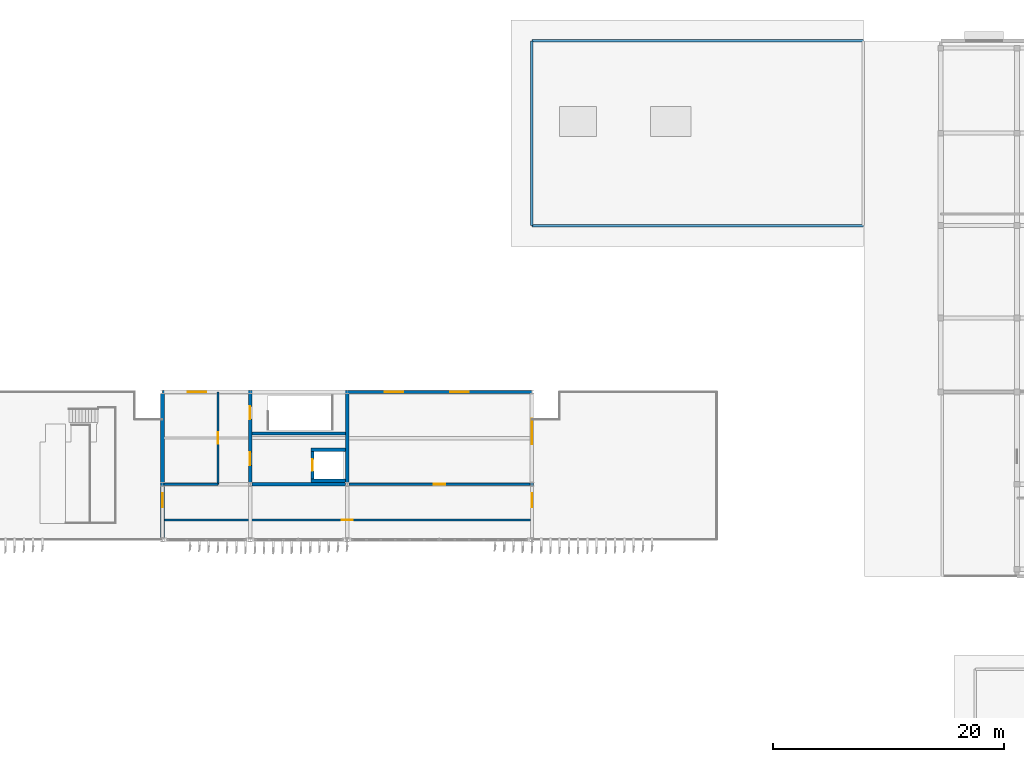
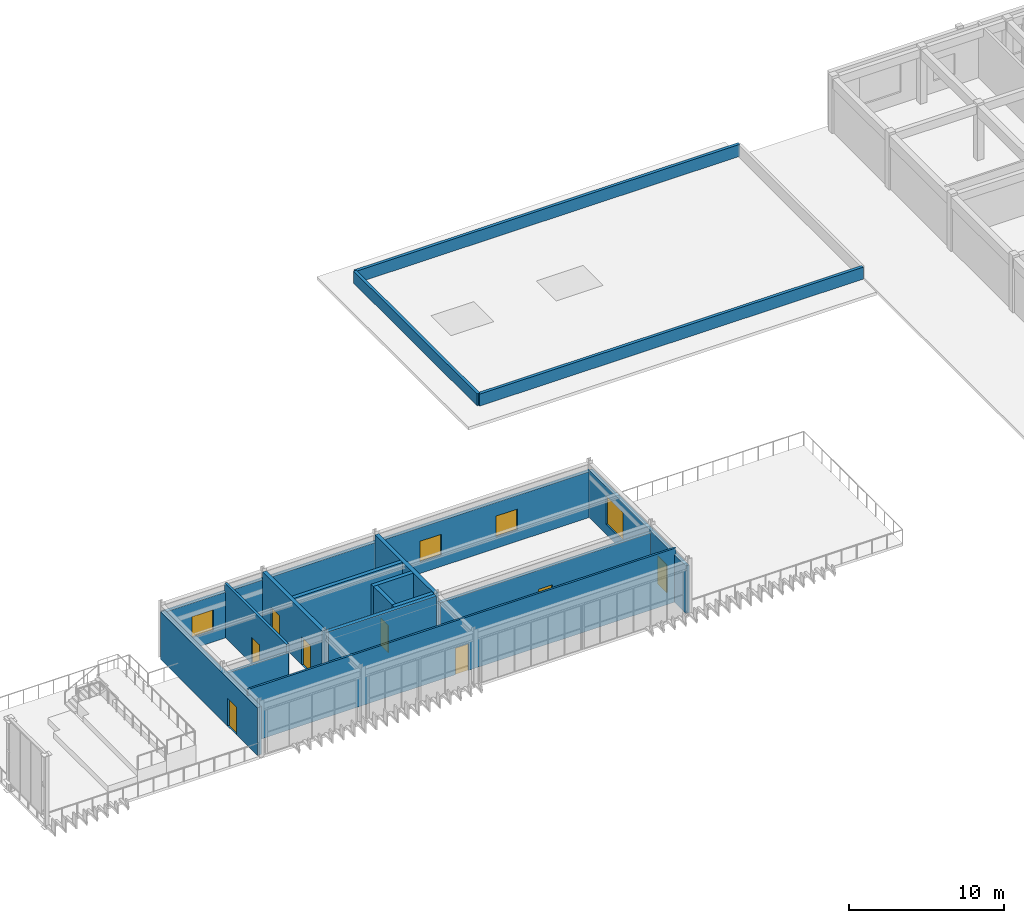
# One storey, part 29 of 45: 17 walls, 8 doors, 4 windows, 12 openings.
"""IFC4 building model written with IfcOpenShell, lengths in metres."""

from ifc_helpers import new_model, si_unit, direction, frame, frame_2d, origin, place, context, subcontext, project, spatial, rectangle, extrude, material, layer, layer_set, type_object, element, fill, save


model = new_model("IFC4")

# Units and contexts
model_context = context("Model", 3, precision=1e-05, world=origin(), true_north=direction((0.0, 1.0)))
body_context = subcontext(model_context, "Body", "Model", "MODEL_VIEW")
ifc_project = project(units=[si_unit("LENGTHUNIT", "METRE"), si_unit("AREAUNIT", "SQUARE_METRE"), si_unit("VOLUMEUNIT", "CUBIC_METRE"), si_unit("PLANEANGLEUNIT", "RADIAN"), si_unit("MASSUNIT", "GRAM", prefix="KILO")], contexts=[model_context])

# Site, building, storey
site_placement = place(None, origin())
site = spatial("IfcSite", under=ifc_project, at=site_placement, CompositionType="ELEMENT")
building_placement = place(site_placement, origin())
building = spatial("IfcBuilding", under=site, at=building_placement, Name="Cinchona Park Media Centre", CompositionType="ELEMENT")
storey_placement = place(building_placement, frame((0.0, 0.0, 20.39990234375)))
storey = spatial("IfcBuildingStorey", under=building, at=storey_placement, Name="L04", CompositionType="ELEMENT", Elevation=20.39990234375)

# Wall
ifc_material_1 = material(Name="Acoustic Double-Stud Gypsum Partition", Category="gypsum")
ifc_layer_1 = layer(ifc_material_1, 0.2099609375)
ifc_layer_set_1 = layer_set([ifc_layer_1], Name="Acoustic Double-Stud Gypsum Partition")
wall_type_1 = type_object("IfcWallType", Name="WALL-W-AC210", PredefinedType="PARTITIONING", material=ifc_layer_set_1)
wall_1_placement = place(storey_placement, frame((78.95703125, 79.60009765625, 0.0), z_axis=(0.0, 0.0, 1.0), x_axis=(1.0, 0.0, 0.0)))
element("IfcWall", 1, at=wall_1_placement, inside=storey, type_object=wall_type_1, Name="Interior Wall W-AC210 L04", PredefinedType="PARTITIONING", context=body_context, shape_type="SweptSolid", body=[
    extrude(rectangle(XDim=4.64306640625, YDim=0.2099609375, at=frame_2d((2.321533203125, 0.0))), origin(), (0.0, 0.0, 1.0), 3.6201171875),
])

# Wall, opening, door
ifc_material_2 = material(Name="Acoustic Double-Stud Gypsum Partition", Category="gypsum")
ifc_layer_2 = layer(ifc_material_2, 0.239990234375)
ifc_layer_set_2 = layer_set([ifc_layer_2], Name="Acoustic Double-Stud Gypsum Partition")
wall_type_2 = type_object("IfcWallType", Name="WALL-W-AC240", PredefinedType="PARTITIONING", material=ifc_layer_set_2)
wall_2_placement = place(storey_placement, frame((94.95703125, 79.60009765625, 0.0), z_axis=(0.0, 0.0, 1.0), x_axis=(1.0, 0.0, 0.0)))
wall_2 = element("IfcWall", 2, at=wall_2_placement, inside=storey, type_object=wall_type_2, Name="Interior Wall W-AC240 L04", PredefinedType="PARTITIONING", context=body_context, shape_type="SweptSolid", body=[
    extrude(rectangle(XDim=15.68603515625, YDim=0.239990234375, at=frame_2d((7.843017578125, 0.0))), origin(), (0.0, 0.0, 1.0), 3.6201171875),
])
opening_1_placement = place(wall_2_placement, frame((7.3330078125, 0.0, 0.0)))
opening_1 = element("IfcOpeningElement", 3, at=opening_1_placement, cuts=wall_2, Name="Opening D342", PredefinedType="OPENING", context=body_context, shape_type="SweptSolid", body=[
    extrude(rectangle(XDim=1.02001953125, YDim=2.10009765625, at=frame_2d((0.510009765625, 1.050048828125))), frame((0.0, 0.1298828125, 0.0), z_axis=(0.0, -1.0, 0.0), x_axis=(1.0, 0.0, 0.0)), (0.0, 0.0, 1.0), 0.260009765625),
])
ifc_material_3 = material(Name="Solid-Core Timber Acoustic Door", Category="wood")
door_type_1 = type_object("IfcDoorType", Name="DOOR-DT05", OperationType="NOTDEFINED", PredefinedType="DOOR", material=ifc_material_3)
door_1_placement = place(opening_1_placement, origin())
door_1 = element("IfcDoor", 4, at=door_1_placement, inside=storey, type_object=door_type_1, Name="Interior Door D342", OperationType="SINGLE_SWING_RIGHT", OverallHeight=2.10009765625, OverallWidth=1.02001953125, PredefinedType="DOOR", context=body_context, shape_type="SweptSolid", body=[
    extrude(rectangle(XDim=1.02001953125, YDim=2.10009765625, at=frame_2d((0.510009765625, 1.050048828125))), frame((0.0, 0.02490234375, 0.0), z_axis=(0.0, -1.0, 0.0), x_axis=(1.0, 0.0, 0.0)), (0.0, 0.0, 1.0), 0.050048828125),
])
fill(opening_1, door_1)

ifc_material_4 = material(Name="Precast concrete C40/50", Category="concrete")
ifc_layer_3 = layer(ifc_material_4, 0.320068359375)
ifc_layer_set_3 = layer_set([ifc_layer_3], Name="Precast concrete C40/50")
wall_type_3 = type_object("IfcWallType", Name="WALL-W-EX02", PredefinedType="SOLIDWALL", material=ifc_layer_set_3)
wall_3_placement = place(storey_placement, frame((78.800048828125, 74.93994140625, 0.0), z_axis=(0.0, 0.0, 1.0), x_axis=(0.0, 1.0, 0.0)))
wall_3 = element("IfcWall", 5, at=wall_3_placement, inside=storey, type_object=wall_type_3, Name="Exterior Wall W-EX02 V5 L04", PredefinedType="SOLIDWALL", context=body_context, shape_type="SweptSolid", body=[
    extrude(rectangle(XDim=12.52001953125, YDim=0.320068359375, at=frame_2d((6.260009765625, 0.0))), origin(), (0.0, 0.0, 1.0), 3.773193359375),
])
opening_2_placement = place(wall_3_placement, frame((2.659912109375, 0.0, 0.0)))
opening_2 = element("IfcOpeningElement", 6, at=opening_2_placement, cuts=wall_3, Name="Opening D023", PredefinedType="OPENING", context=body_context, shape_type="SweptSolid", body=[
    extrude(rectangle(XDim=1.199951171875, YDim=2.199951171875, at=frame_2d((0.60009765625, 1.10009765625))), frame((0.0, 0.169921875, 0.0), z_axis=(0.0, -1.0, 0.0), x_axis=(1.0, 0.0, 0.0)), (0.0, 0.0, 1.0), 0.340087890625),
])
ifc_material_5 = material(Name="Insulated Steel and Laminated Glass Door", Category="steel")
door_type_2 = type_object("IfcDoorType", Name="DOOR-DT-TR1", OperationType="NOTDEFINED", PredefinedType="DOOR", material=ifc_material_5)
door_2_placement = place(opening_2_placement, origin())
door_2 = element("IfcDoor", 7, at=door_2_placement, inside=storey, type_object=door_type_2, Name="Exterior Door D023", OperationType="SINGLE_SWING_LEFT", OverallHeight=2.199951171875, OverallWidth=1.199951171875, PredefinedType="DOOR", context=body_context, shape_type="SweptSolid", body=[
    extrude(rectangle(XDim=1.199951171875, YDim=2.199951171875, at=frame_2d((0.60009765625, 1.10009765625))), frame((0.0, 0.02490234375, 0.0), z_axis=(0.0, -1.0, 0.0), x_axis=(1.0, 0.0, 0.0)), (0.0, 0.0, 1.0), 0.050048828125),
])
fill(opening_2, door_2)

# Wall, openings, windows
ifc_material_6 = material(Name="Precast concrete C40/50", Category="concrete")
ifc_layer_4 = layer(ifc_material_6, 0.27490234375)
ifc_layer_set_4 = layer_set([ifc_layer_4], Name="Precast concrete C40/50")
wall_type_4 = type_object("IfcWallType", Name="WALL-W-EX03", PredefinedType="SOLIDWALL", material=ifc_layer_set_4)
wall_4_placement = place(storey_placement, frame((78.800048828125, 87.60009765625, 0.0), z_axis=(0.0, 0.0, 1.0), x_axis=(1.0, 0.0, 0.0)))
wall_4 = element("IfcWall", 8, at=wall_4_placement, inside=storey, type_object=wall_type_4, Name="Exterior Wall W-EX03 V5 L04", PredefinedType="SOLIDWALL", context=body_context, shape_type="SweptSolid", body=[
    extrude(rectangle(XDim=32.0, YDim=0.27490234375, at=frame_2d((16.0, 0.0))), origin(), (0.0, 0.0, 1.0), 3.6201171875),
])
opening_3_placement = place(wall_4_placement, frame((2.199951171875, 0.0, 0.89990234375)))
opening_3 = element("IfcOpeningElement", 9, at=opening_3_placement, cuts=wall_4, Name="Opening WN25", PredefinedType="OPENING", context=body_context, shape_type="SweptSolid", body=[
    extrude(rectangle(XDim=1.60009765625, YDim=1.64990234375, at=frame_2d((0.800048828125, 0.824951171875))), frame((0.0, 0.1474609375, 0.0), z_axis=(0.0, -1.0, 0.0), x_axis=(1.0, 0.0, 0.0)), (0.0, 0.0, 1.0), 0.294921875),
])
opening_4_placement = place(wall_4_placement, frame((19.239990234375, 0.0, 0.89990234375)))
opening_4 = element("IfcOpeningElement", 10, at=opening_4_placement, cuts=wall_4, Name="Opening WN25", PredefinedType="OPENING", context=body_context, shape_type="SweptSolid", body=[
    extrude(rectangle(XDim=1.60009765625, YDim=1.64990234375, at=frame_2d((0.800048828125, 0.824951171875))), frame((0.0, 0.1474609375, 0.0), z_axis=(0.0, -1.0, 0.0), x_axis=(1.0, 0.0, 0.0)), (0.0, 0.0, 1.0), 0.294921875),
])
opening_5_placement = place(wall_4_placement, frame((24.919921875, 0.0, 0.89990234375)))
opening_5 = element("IfcOpeningElement", 11, at=opening_5_placement, cuts=wall_4, Name="Opening WN25", PredefinedType="OPENING", context=body_context, shape_type="SweptSolid", body=[
    extrude(rectangle(XDim=1.60009765625, YDim=1.64990234375, at=frame_2d((0.800048828125, 0.824951171875))), frame((0.0, 0.1474609375, 0.0), z_axis=(0.0, -1.0, 0.0), x_axis=(1.0, 0.0, 0.0)), (0.0, 0.0, 1.0), 0.294921875),
])
ifc_material_7 = material(Name="Thermally Broken Aluminium Solar-Control Window", Category="aluminium")
window_type_1 = type_object("IfcWindowType", Name="WIN-WN25", PartitioningType="SINGLE_PANEL", PredefinedType="WINDOW", material=ifc_material_7)
window_1_placement = place(opening_3_placement, origin())
window_1 = element("IfcWindow", 12, at=window_1_placement, inside=storey, type_object=window_type_1, Name="Window WN25 L04", OverallHeight=1.64990234375, OverallWidth=1.60009765625, PartitioningType="SINGLE_PANEL", PredefinedType="WINDOW", context=body_context, shape_type="SweptSolid", body=[
    extrude(rectangle(XDim=1.60009765625, YDim=1.64990234375, at=frame_2d((0.800048828125, 0.824951171875))), frame((0.0, 0.030029296875, 0.0), z_axis=(0.0, -1.0, 0.0), x_axis=(1.0, 0.0, 0.0)), (0.0, 0.0, 1.0), 0.06005859375),
])
fill(opening_3, window_1)
window_2_placement = place(opening_4_placement, origin())
window_2 = element("IfcWindow", 13, at=window_2_placement, inside=storey, type_object=window_type_1, Name="Window WN25 L04", OverallHeight=1.64990234375, OverallWidth=1.60009765625, PartitioningType="SINGLE_PANEL", PredefinedType="WINDOW", context=body_context, shape_type="SweptSolid", body=[
    extrude(rectangle(XDim=1.60009765625, YDim=1.64990234375, at=frame_2d((0.800048828125, 0.824951171875))), frame((0.0, 0.030029296875, 0.0), z_axis=(0.0, -1.0, 0.0), x_axis=(1.0, 0.0, 0.0)), (0.0, 0.0, 1.0), 0.06005859375),
])
fill(opening_4, window_2)
window_3_placement = place(opening_5_placement, origin())
window_3 = element("IfcWindow", 14, at=window_3_placement, inside=storey, type_object=window_type_1, Name="Window WN25 L04", OverallHeight=1.64990234375, OverallWidth=1.60009765625, PartitioningType="SINGLE_PANEL", PredefinedType="WINDOW", context=body_context, shape_type="SweptSolid", body=[
    extrude(rectangle(XDim=1.60009765625, YDim=1.64990234375, at=frame_2d((0.800048828125, 0.824951171875))), frame((0.0, 0.030029296875, 0.0), z_axis=(0.0, -1.0, 0.0), x_axis=(1.0, 0.0, 0.0)), (0.0, 0.0, 1.0), 0.06005859375),
])
fill(opening_5, window_3)

# Wall, openings, door, window
ifc_material_8 = material(Name="Precast concrete C40/50", Category="concrete")
ifc_layer_5 = layer(ifc_material_8, 0.25)
ifc_layer_set_5 = layer_set([ifc_layer_5], Name="Precast concrete C40/50")
wall_type_5 = type_object("IfcWallType", Name="WALL-W-EX04", PredefinedType="SOLIDWALL", material=ifc_layer_set_5)
wall_5_placement = place(storey_placement, frame((110.800048828125, 87.4599609375, 0.0), z_axis=(0.0, 0.0, 1.0), x_axis=(0.0, -1.0, 0.0)))
wall_5 = element("IfcWall", 15, at=wall_5_placement, inside=storey, type_object=wall_type_5, Name="Exterior Wall W-EX04 V5 L04", PredefinedType="SOLIDWALL", context=body_context, shape_type="SweptSolid", body=[
    extrude(rectangle(XDim=12.52001953125, YDim=0.25, at=frame_2d((6.260009765625, 0.0))), origin(), (0.0, 0.0, 1.0), 3.773193359375),
])
opening_6_placement = place(wall_5_placement, frame((8.659912109375, 0.0, 0.0)))
opening_6 = element("IfcOpeningElement", 16, at=opening_6_placement, cuts=wall_5, Name="Opening D024", PredefinedType="OPENING", context=body_context, shape_type="SweptSolid", body=[
    extrude(rectangle(XDim=1.199951171875, YDim=2.199951171875, at=frame_2d((0.60009765625, 1.10009765625))), frame((0.0, 0.135009765625, 0.0), z_axis=(0.0, -1.0, 0.0), x_axis=(1.0, 0.0, 0.0)), (0.0, 0.0, 1.0), 0.27001953125),
])
opening_7_placement = place(wall_5_placement, frame((2.199951171875, 0.0, 0.800048828125)))
opening_7 = element("IfcOpeningElement", 17, at=opening_7_placement, cuts=wall_5, Name="Opening WN09", PredefinedType="OPENING", context=body_context, shape_type="SweptSolid", body=[
    extrude(rectangle(XDim=2.199951171875, YDim=2.25, at=frame_2d((1.10009765625, 1.125))), frame((0.0, 0.135009765625, 0.0), z_axis=(0.0, -1.0, 0.0), x_axis=(1.0, 0.0, 0.0)), (0.0, 0.0, 1.0), 0.27001953125),
])
door_3_placement = place(opening_6_placement, origin())
door_3 = element("IfcDoor", 18, at=door_3_placement, inside=storey, type_object=door_type_2, Name="Exterior Door D024", OperationType="SINGLE_SWING_RIGHT", OverallHeight=2.199951171875, OverallWidth=1.199951171875, PredefinedType="DOOR", context=body_context, shape_type="SweptSolid", body=[
    extrude(rectangle(XDim=1.199951171875, YDim=2.199951171875, at=frame_2d((0.60009765625, 1.10009765625))), frame((0.0, 0.02490234375, 0.0), z_axis=(0.0, -1.0, 0.0), x_axis=(1.0, 0.0, 0.0)), (0.0, 0.0, 1.0), 0.050048828125),
])
fill(opening_6, door_3)
ifc_material_9 = material(Name="Thermally Broken Aluminium Solar-Control Window", Category="aluminium")
window_type_2 = type_object("IfcWindowType", Name="WIN-WN09", PartitioningType="SINGLE_PANEL", PredefinedType="WINDOW", material=ifc_material_9)
window_4_placement = place(opening_7_placement, origin())
window_4 = element("IfcWindow", 19, at=window_4_placement, inside=storey, type_object=window_type_2, Name="Window WN09 L04", OverallHeight=2.25, OverallWidth=2.199951171875, PartitioningType="SINGLE_PANEL", PredefinedType="WINDOW", context=body_context, shape_type="SweptSolid", body=[
    extrude(rectangle(XDim=2.199951171875, YDim=2.25, at=frame_2d((1.10009765625, 1.125))), frame((0.0, 0.030029296875, 0.0), z_axis=(0.0, -1.0, 0.0), x_axis=(1.0, 0.0, 0.0)), (0.0, 0.0, 1.0), 0.06005859375),
])
fill(opening_7, window_4)

# Walls
ifc_material_10 = material(Name="Precast concrete C40/50", Category="concrete")
ifc_layer_6 = layer(ifc_material_10, 0.219970703125)
ifc_layer_set_6 = layer_set([ifc_layer_6], Name="Precast concrete C40/50")
wall_type_6 = type_object("IfcWallType", Name="WALL-W-PR01", PredefinedType="PARAPET", material=ifc_layer_set_6)
for number, where, z_axis, x_axis, name in (
    (20, (110.800048828125, 118.0, 0.0), (0.0, 0.0, 1.0), (1.0, 0.0, 0.0), "Roof Parapet Wall W-PR01 L04"),
    (21, (139.5, 102.0, 0.0), (0.0, 0.0, 1.0), (-1.0, 0.0, 0.0), "Roof Parapet Wall W-PR01 L04"),
):
    element("IfcWall", number, at=place(storey_placement, frame(where, z_axis=z_axis, x_axis=x_axis)), inside=storey, type_object=wall_type_6, Name=name, PredefinedType="PARAPET", context=body_context, shape_type="SweptSolid", body=[
        extrude(rectangle(XDim=28.699951171875, YDim=0.219970703125, at=frame_2d((14.35009765625, 0.0))), origin(), (0.0, 0.0, 1.0), 0.9501953125),
    ])
wall_6_placement = place(storey_placement, frame((110.800048828125, 102.0, 0.0), z_axis=(0.0, 0.0, 1.0), x_axis=(0.0, 1.0, 0.0)))
element("IfcWall", 22, at=wall_6_placement, inside=storey, type_object=wall_type_6, Name="Roof Parapet Wall W-PR01 L04", PredefinedType="PARAPET", context=body_context, shape_type="SweptSolid", body=[
    extrude(rectangle(XDim=16.0, YDim=0.219970703125, at=frame_2d((8.0, 0.0))), origin(), (0.0, 0.0, 1.0), 0.9501953125),
])

# Wall, opening, door
ifc_material_11 = material(Name="Fire-Rated Gypsum Stud Partition", Category="gypsum")
ifc_layer_7 = layer(ifc_material_11, 0.14990234375)
ifc_layer_set_7 = layer_set([ifc_layer_7], Name="Fire-Rated Gypsum Stud Partition")
wall_type_7 = type_object("IfcWallType", Name="WALL-W-PT150", PredefinedType="PARTITIONING", material=ifc_layer_set_7)
wall_7_placement = place(storey_placement, frame((110.800048828125, 76.5, 0.0), z_axis=(0.0, 0.0, 1.0), x_axis=(-1.0, 0.0, 0.0)))
wall_7 = element("IfcWall", 23, at=wall_7_placement, inside=storey, type_object=wall_type_7, Name="Interior Wall W-PT150 L04", PredefinedType="PARTITIONING", context=body_context, shape_type="SweptSolid", body=[
    extrude(rectangle(XDim=32.0, YDim=0.14990234375, at=frame_2d((16.0, 0.0))), origin(), (0.0, 0.0, 1.0), 4.255126953125),
])
opening_8_placement = place(wall_7_placement, frame((15.52490234375, 0.0, 0.0)))
opening_8 = element("IfcOpeningElement", 24, at=opening_8_placement, cuts=wall_7, Name="Opening D341", PredefinedType="OPENING", context=body_context, shape_type="SweptSolid", body=[
    extrude(rectangle(XDim=0.949951171875, YDim=2.10009765625, at=frame_2d((0.47509765625, 1.050048828125))), frame((0.0, 0.0849609375, 0.0), z_axis=(0.0, -1.0, 0.0), x_axis=(1.0, 0.0, 0.0)), (0.0, 0.0, 1.0), 0.169921875),
])
ifc_material_12 = material(Name="Solid-Core Timber Acoustic Door", Category="wood")
door_type_3 = type_object("IfcDoorType", Name="DOOR-DT02", OperationType="NOTDEFINED", PredefinedType="DOOR", material=ifc_material_12)
door_4_placement = place(opening_8_placement, origin())
door_4 = element("IfcDoor", 25, at=door_4_placement, inside=storey, type_object=door_type_3, Name="Interior Door D341", OperationType="SINGLE_SWING_LEFT", OverallHeight=2.10009765625, OverallWidth=0.949951171875, PredefinedType="DOOR", context=body_context, shape_type="SweptSolid", body=[
    extrude(rectangle(XDim=0.949951171875, YDim=2.10009765625, at=frame_2d((0.47509765625, 1.050048828125))), frame((0.0, 0.02490234375, 0.0), z_axis=(0.0, -1.0, 0.0), x_axis=(1.0, 0.0, 0.0)), (0.0, 0.0, 1.0), 0.050048828125),
])
fill(opening_8, door_4)

ifc_material_13 = material(Name="Fire-Rated Gypsum Stud Partition", Category="gypsum")
ifc_layer_8 = layer(ifc_material_13, 0.18994140625)
ifc_layer_set_8 = layer_set([ifc_layer_8], Name="Fire-Rated Gypsum Stud Partition")
wall_type_8 = type_object("IfcWallType", Name="WALL-W-PT190", PredefinedType="PARTITIONING", material=ifc_layer_set_8)
wall_8_placement = place(storey_placement, frame((83.60009765625, 79.60009765625, 0.0), z_axis=(0.0, 0.0, 1.0), x_axis=(0.0, 1.0, 0.0)))
wall_8 = element("IfcWall", 26, at=wall_8_placement, inside=storey, type_object=wall_type_8, Name="Interior Wall W-PT190 L04", PredefinedType="PARTITIONING", context=body_context, shape_type="SweptSolid", body=[
    extrude(rectangle(XDim=8.0, YDim=0.18994140625, at=frame_2d((4.0, 0.0))), origin(), (0.0, 0.0, 1.0), 4.255126953125),
])
opening_9_placement = place(wall_8_placement, frame((3.5, 0.0, 0.0)))
opening_9 = element("IfcOpeningElement", 27, at=opening_9_placement, cuts=wall_8, Name="Opening D343", PredefinedType="OPENING", context=body_context, shape_type="SweptSolid", body=[
    extrude(rectangle(XDim=1.0, YDim=2.10009765625, at=frame_2d((0.5, 1.050048828125))), frame((0.0, 0.10498046875, 0.0), z_axis=(0.0, -1.0, 0.0), x_axis=(1.0, 0.0, 0.0)), (0.0, 0.0, 1.0), 0.2099609375),
])
ifc_material_14 = material(Name="Fire-Rated Acoustic Timber-Steel Door", Category="steel")
door_type_4 = type_object("IfcDoorType", Name="DOOR-DT04", OperationType="NOTDEFINED", PredefinedType="DOOR", material=ifc_material_14)
door_5_placement = place(opening_9_placement, origin())
door_5 = element("IfcDoor", 28, at=door_5_placement, inside=storey, type_object=door_type_4, Name="Interior Door D343", OperationType="SINGLE_SWING_LEFT", OverallHeight=2.10009765625, OverallWidth=1.0, PredefinedType="DOOR", context=body_context, shape_type="SweptSolid", body=[
    extrude(rectangle(XDim=1.0, YDim=2.10009765625, at=frame_2d((0.5, 1.050048828125))), frame((0.0, 0.02490234375, 0.0), z_axis=(0.0, -1.0, 0.0), x_axis=(1.0, 0.0, 0.0)), (0.0, 0.0, 1.0), 0.050048828125),
])
fill(opening_9, door_5)

# Wall
ifc_material_15 = material(Name="Concrete C40/50", Category="concrete")
ifc_layer_9 = layer(ifc_material_15, 0.2900390625)
ifc_layer_set_9 = layer_set([ifc_layer_9], Name="Concrete C40/50")
wall_type_9 = type_object("IfcWallType", Name="WALL-W-SH290", PredefinedType="SHEAR", material=ifc_layer_set_9)
wall_9_placement = place(storey_placement, frame((86.556884765625, 79.60009765625, 0.0), z_axis=(0.0, 0.0, 1.0), x_axis=(1.0, 0.0, 0.0)))
element("IfcWall", 29, at=wall_9_placement, inside=storey, type_object=wall_type_9, Name="Core Shear Wall W-SH290 L04", PredefinedType="SHEAR", context=body_context, shape_type="SweptSolid", body=[
    extrude(rectangle(XDim=8.086181640625, YDim=0.2900390625, at=frame_2d((4.04296875, 0.0))), origin(), (0.0, 0.0, 1.0), 4.255126953125),
])

# Wall, openings, doors
wall_10_placement = place(storey_placement, frame((86.39990234375, 79.7451171875, 0.0), z_axis=(0.0, 0.0, 1.0), x_axis=(0.0, 1.0, 0.0)))
wall_10 = element("IfcWall", 30, at=wall_10_placement, inside=storey, type_object=wall_type_9, Name="Core Shear Wall W-SH290 L04", PredefinedType="SHEAR", context=body_context, shape_type="SweptSolid", body=[
    extrude(rectangle(XDim=7.7099609375, YDim=0.2900390625, at=frame_2d((3.85498046875, 0.0))), origin(), (0.0, 0.0, 1.0), 4.255126953125),
])
opening_10_placement = place(wall_10_placement, frame((5.5048828125, 0.0, 0.0)))
opening_10 = element("IfcOpeningElement", 31, at=opening_10_placement, cuts=wall_10, Name="Opening D114", PredefinedType="OPENING", context=body_context, shape_type="SweptSolid", body=[
    extrude(rectangle(XDim=1.10009765625, YDim=2.14990234375, at=frame_2d((0.550048828125, 1.074951171875))), frame((0.0, 0.155029296875, 0.0), z_axis=(0.0, -1.0, 0.0), x_axis=(1.0, 0.0, 0.0)), (0.0, 0.0, 1.0), 0.31005859375),
])
opening_11_placement = place(wall_10_placement, frame((1.47998046875, 0.0, 0.0)))
opening_11 = element("IfcOpeningElement", 32, at=opening_11_placement, cuts=wall_10, Name="Opening D115", PredefinedType="OPENING", context=body_context, shape_type="SweptSolid", body=[
    extrude(rectangle(XDim=1.14990234375, YDim=2.199951171875, at=frame_2d((0.574951171875, 1.10009765625))), frame((0.0, 0.155029296875, 0.0), z_axis=(0.0, -1.0, 0.0), x_axis=(1.0, 0.0, 0.0)), (0.0, 0.0, 1.0), 0.31005859375),
])
ifc_material_16 = material(Name="Insulated Fire-Rated Steel Door", Category="steel")
door_type_5 = type_object("IfcDoorType", Name="DOOR-DT-FF", OperationType="NOTDEFINED", PredefinedType="DOOR", material=ifc_material_16)
door_6_placement = place(opening_11_placement, origin())
door_6 = element("IfcDoor", 33, at=door_6_placement, inside=storey, type_object=door_type_5, Name="Interior Door D115", OperationType="SINGLE_SWING_LEFT", OverallHeight=2.199951171875, OverallWidth=1.14990234375, PredefinedType="DOOR", context=body_context, shape_type="SweptSolid", body=[
    extrude(rectangle(XDim=1.14990234375, YDim=2.199951171875, at=frame_2d((0.574951171875, 1.10009765625))), frame((0.0, 0.02490234375, 0.0), z_axis=(0.0, -1.0, 0.0), x_axis=(1.0, 0.0, 0.0)), (0.0, 0.0, 1.0), 0.050048828125),
])
fill(opening_11, door_6)
ifc_material_17 = material(Name="Insulated Fire-Rated Steel Door", Category="steel")
door_type_6 = type_object("IfcDoorType", Name="DOOR-DT-ST", OperationType="NOTDEFINED", PredefinedType="DOOR", material=ifc_material_17)
door_7_placement = place(opening_10_placement, origin())
door_7 = element("IfcDoor", 34, at=door_7_placement, inside=storey, type_object=door_type_6, Name="Interior Door D114", OperationType="SINGLE_SWING_RIGHT", OverallHeight=2.14990234375, OverallWidth=1.10009765625, PredefinedType="DOOR", context=body_context, shape_type="SweptSolid", body=[
    extrude(rectangle(XDim=1.10009765625, YDim=2.14990234375, at=frame_2d((0.550048828125, 1.074951171875))), frame((0.0, 0.02490234375, 0.0), z_axis=(0.0, -1.0, 0.0), x_axis=(1.0, 0.0, 0.0)), (0.0, 0.0, 1.0), 0.050048828125),
])
fill(opening_10, door_7)

# Walls
wall_11_placement = place(storey_placement, frame((94.800048828125, 79.7451171875, 0.0), z_axis=(0.0, 0.0, 1.0), x_axis=(0.0, 1.0, 0.0)))
element("IfcWall", 35, at=wall_11_placement, inside=storey, type_object=wall_type_9, Name="Core Shear Wall W-SH290 L04", PredefinedType="SHEAR", context=body_context, shape_type="SweptSolid", body=[
    extrude(rectangle(XDim=7.7099609375, YDim=0.2900390625, at=frame_2d((3.85498046875, 0.0))), origin(), (0.0, 0.0, 1.0), 4.255126953125),
])
wall_12_placement = place(storey_placement, frame((86.544921875, 84.0, 0.0), z_axis=(0.0, 0.0, 1.0), x_axis=(1.0, 0.0, 0.0)))
element("IfcWall", 36, at=wall_12_placement, inside=storey, type_object=wall_type_9, Name="Core Shear Wall W-SH290 L04", PredefinedType="SHEAR", context=body_context, shape_type="SweptSolid", body=[
    extrude(rectangle(XDim=8.110107421875, YDim=0.2900390625, at=frame_2d((4.05517578125, 0.0))), origin(), (0.0, 0.0, 1.0), 4.255126953125),
])
for number, where, z_axis, x_axis, name in (
    (37, (91.655029296875, 79.89990234375, 0.0), (0.0, 0.0, 1.0), (1.0, 0.0, 0.0), "Core Shear Wall W-SH290 L04"),
    (38, (91.655029296875, 82.60009765625, 0.0), (0.0, 0.0, 1.0), (1.0, 0.0, 0.0), "Core Shear Wall W-SH290 L04"),
):
    element("IfcWall", number, at=place(storey_placement, frame(where, z_axis=z_axis, x_axis=x_axis)), inside=storey, type_object=wall_type_9, Name=name, PredefinedType="SHEAR", context=body_context, shape_type="SweptSolid", body=[
        extrude(rectangle(XDim=2.989990234375, YDim=0.2900390625, at=frame_2d((1.4951171875, 0.0))), origin(), (0.0, 0.0, 1.0), 4.255126953125),
    ])

# Wall, opening, door
wall_13_placement = place(storey_placement, frame((91.800048828125, 80.044921875, 0.0), z_axis=(0.0, 0.0, 1.0), x_axis=(0.0, 1.0, 0.0)))
wall_13 = element("IfcWall", 39, at=wall_13_placement, inside=storey, type_object=wall_type_9, Name="Core Shear Wall W-SH290 L04", PredefinedType="SHEAR", context=body_context, shape_type="SweptSolid", body=[
    extrude(rectangle(XDim=2.41015625, YDim=0.2900390625, at=frame_2d((1.205078125, 0.0))), origin(), (0.0, 0.0, 1.0), 4.255126953125),
])
opening_12_placement = place(wall_13_placement, frame((0.705078125, 0.0, 0.0)))
opening_12 = element("IfcOpeningElement", 40, at=opening_12_placement, cuts=wall_13, Name="Opening LD39", PredefinedType="OPENING", context=body_context, shape_type="SweptSolid", body=[
    extrude(rectangle(XDim=1.0, YDim=2.14990234375, at=frame_2d((0.5, 1.074951171875))), frame((0.0, 0.155029296875, 0.0), z_axis=(0.0, -1.0, 0.0), x_axis=(1.0, 0.0, 0.0)), (0.0, 0.0, 1.0), 0.31005859375),
])
ifc_material_18 = material(Name="Stainless Steel Sliding Lift Landing Door", Category="steel")
door_type_7 = type_object("IfcDoorType", Name="DOOR-DT-LD2", OperationType="NOTDEFINED", PredefinedType="DOOR", material=ifc_material_18)
door_8_placement = place(opening_12_placement, origin())
door_8 = element("IfcDoor", 41, at=door_8_placement, inside=storey, type_object=door_type_7, Name="Lift Landing Door LD39", OperationType="SLIDING_TO_LEFT", OverallHeight=2.14990234375, OverallWidth=1.0, PredefinedType="DOOR", context=body_context, shape_type="SweptSolid", body=[
    extrude(rectangle(XDim=1.0, YDim=2.14990234375, at=frame_2d((0.5, 1.074951171875))), frame((0.0, 0.02490234375, 0.0), z_axis=(0.0, -1.0, 0.0), x_axis=(1.0, 0.0, 0.0)), (0.0, 0.0, 1.0), 0.050048828125),
])
fill(opening_12, door_8)

save(model, "model.ifc")
